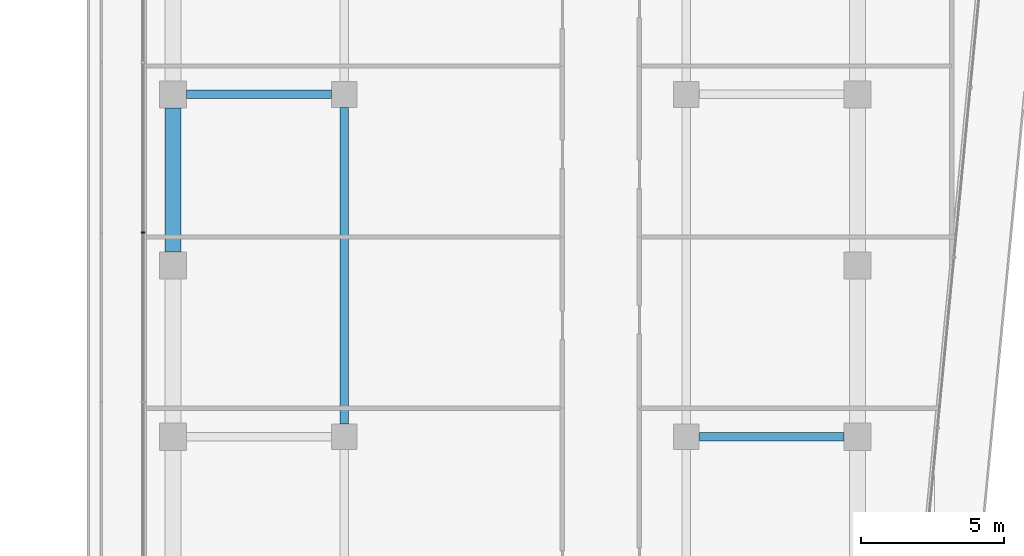
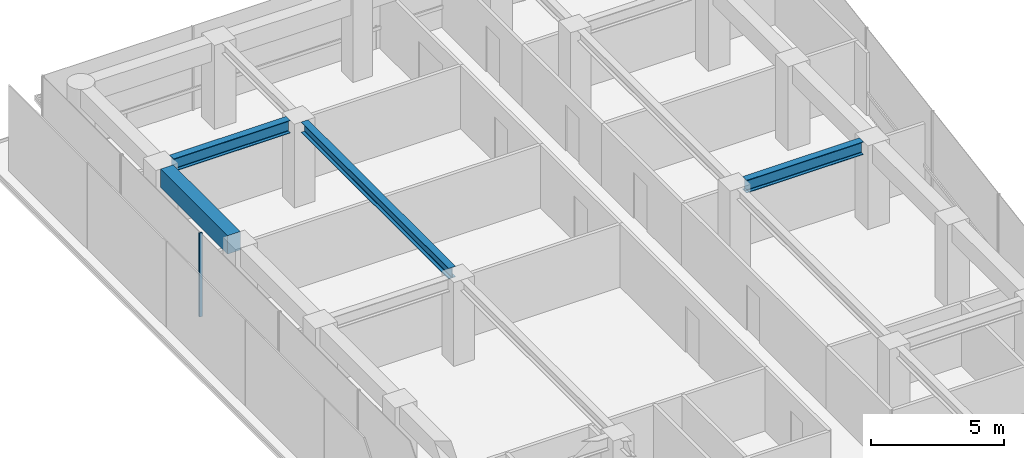
# One storey, part 12 of 23: 4 beams, 1 member, 1 element without a shape of its own.
"""IFC4 building model written with IfcOpenShell, lengths in metres."""

from ifc_helpers import new_model, si_unit, direction, frame, origin, origin_2d, place, context, subcontext, project, spatial, rectangle, i_section, extrude, material, layer, layer_set, material_profile, profile_set, type_object, element, aggregate, save


model = new_model("IFC4")

# Units and contexts
model_context = context("Model", 3, precision=1e-05, world=origin(), true_north=direction((0.0, 1.0)))
body_context = subcontext(model_context, "Body", "Model", "MODEL_VIEW")
ifc_project = project(units=[si_unit("LENGTHUNIT", "METRE"), si_unit("AREAUNIT", "SQUARE_METRE"), si_unit("VOLUMEUNIT", "CUBIC_METRE"), si_unit("PLANEANGLEUNIT", "RADIAN"), si_unit("MASSUNIT", "GRAM", prefix="KILO")], contexts=[model_context])

# Site, building, storey
site_placement = place(None, origin())
site = spatial("IfcSite", under=ifc_project, at=site_placement, CompositionType="ELEMENT")
building_placement = place(site_placement, origin())
building = spatial("IfcBuilding", under=site, at=building_placement, Name="Welwitschia Terrace Campus", CompositionType="ELEMENT")
storey_placement = place(building_placement, frame((0.0, 0.0, 146.60009765625)))
storey = spatial("IfcBuildingStorey", under=building, at=storey_placement, Name="L32", CompositionType="ELEMENT", Elevation=146.60009765625)

# Beam
ifc_material_1 = material(Name="Steel S355", Category="steel")
ifc_material_profile_1 = material_profile(ifc_material_1, i_section(OverallWidth=0.300048828125, OverallDepth=0.489990234375, WebThickness=0.011962890625, FlangeThickness=0.02294921875, FilletRadius=0.027099609375, at=origin_2d()))
ifc_profile_set_1 = profile_set([ifc_material_profile_1], Name="Steel S355")
beam_type_1 = type_object("IfcBeamType", Name="Interior girder HE 500 A", PredefinedType="BEAM", material=ifc_profile_set_1)
beam_1_placement = place(storey_placement, frame((6.0, 44.450439453125, 3.60498046875), z_axis=(0.0, 1.0, 0.0), x_axis=(-1.0, 0.0, 0.0)))
element("IfcBeam", 1, at=beam_1_placement, inside=storey, type_object=beam_type_1, Name="Girder GB4", PredefinedType="BEAM", context=body_context, shape_type="SweptSolid", body=[
    extrude(i_section(OverallWidth=0.300048828125, OverallDepth=0.489990234375, WebThickness=0.011962890625, FlangeThickness=0.02294921875, FilletRadius=0.027099609375, at=origin_2d()), origin(), (0.0, 0.0, 1.0), 11.09912109375),
])

# Curtain wall, member
ifc_material_2 = material(Name="Bronze anodised aluminium", Category="aluminium")
ifc_layer = layer(ifc_material_2, 0.1201171875)
ifc_layer_set = layer_set([ifc_layer], Name="Bronze anodised aluminium")
curtain_wall_type = type_object("IfcCurtainWallType", Name="Curtain wall CW2 tower 6000", PredefinedType="NOTDEFINED", material=ifc_layer_set)
curtain_wall_placement = place(storey_placement, origin())
curtain_wall = element("IfcCurtainWall", 2, at=curtain_wall_placement, inside=storey, type_object=curtain_wall_type, Name="CW L32.0.0", PredefinedType="NOTDEFINED")
ifc_material_3 = material(Name="Bronze anodised aluminium", Category="aluminium")
ifc_material_profile_2 = material_profile(ifc_material_3, rectangle(XDim=0.1201171875, YDim=0.06005859375, at=origin_2d()))
ifc_profile_set_2 = profile_set([ifc_material_profile_2], Name="Bronze anodised aluminium")
member_type = type_object("IfcMemberType", Name="Mullion 60x120", PredefinedType="MULLION", material=ifc_profile_set_2)
member_placement = place(storey_placement, frame((-1.05810546875, 51.16357421875, 0.0), z_axis=(0.0, 0.0, 1.0), x_axis=(1.0, 0.0, 0.0)))
member = element("IfcMember", 3, at=member_placement, type_object=member_type, Name="Mullion L32.0.0.2", PredefinedType="MULLION", context=body_context, shape_type="SweptSolid", body=[
    extrude(rectangle(XDim=0.1201171875, YDim=0.06005859375, at=origin_2d()), origin(), (0.0, 0.0, 1.0), 3.849853515625),
])
aggregate(curtain_wall, [member])

# Beams
ifc_material_4 = material(Name="Steel S355", Category="steel")
ifc_material_profile_3 = material_profile(ifc_material_4, i_section(OverallWidth=0.300048828125, OverallDepth=0.590087890625, WebThickness=0.012939453125, FlangeThickness=0.02490234375, FilletRadius=0.027099609375, at=origin_2d()))
ifc_profile_set_3 = profile_set([ifc_material_profile_3], Name="Steel S355")
beam_type_2 = type_object("IfcBeamType", Name="Primary beam HE 600 A", PredefinedType="BEAM", material=ifc_profile_set_3)
for number, where, z_axis, x_axis, name in (
    (4, (23.5244140625, 44.0, 3.554931640625), (-1.0, 0.0, 0.0), (0.0, -1.0, 0.0), "Primary beam PB4"),
    (5, (0.4755859375, 56.0, 3.554931640625), (1.0, 0.0, 0.0), (0.0, 1.0, 0.0), "Primary beam PB4"),
):
    element("IfcBeam", number, at=place(storey_placement, frame(where, z_axis=z_axis, x_axis=x_axis)), inside=storey, type_object=beam_type_2, Name=name, PredefinedType="BEAM", context=body_context, shape_type="SweptSolid", body=[
        extrude(i_section(OverallWidth=0.300048828125, OverallDepth=0.590087890625, WebThickness=0.012939453125, FlangeThickness=0.02490234375, FilletRadius=0.027099609375, at=origin_2d()), origin(), (0.0, 0.0, 1.0), 5.073974609375),
    ])
ifc_material_5 = material(Name="Concrete C50/60", Category="concrete")
ifc_material_profile_4 = material_profile(ifc_material_5, rectangle(XDim=0.550048828125, YDim=0.85009765625, at=origin_2d()))
ifc_profile_set_4 = profile_set([ifc_material_profile_4], Name="Concrete C50/60")
beam_type_3 = type_object("IfcBeamType", Name="Ring spandrel 550x850", PredefinedType="SPANDREL", material=ifc_profile_set_4)
beam_2_placement = place(storey_placement, frame((0.0, 55.5244140625, 3.4248046875), z_axis=(0.0, -1.0, 0.0), x_axis=(1.0, 0.0, 0.0)))
element("IfcBeam", 6, at=beam_2_placement, inside=storey, type_object=beam_type_3, Name="Spandrel SP3", PredefinedType="SPANDREL", context=body_context, shape_type="SweptSolid", body=[
    extrude(rectangle(XDim=0.550048828125, YDim=0.85009765625, at=origin_2d()), origin(), (0.0, 0.0, 1.0), 5.048828125),
])

save(model, "model.ifc")
